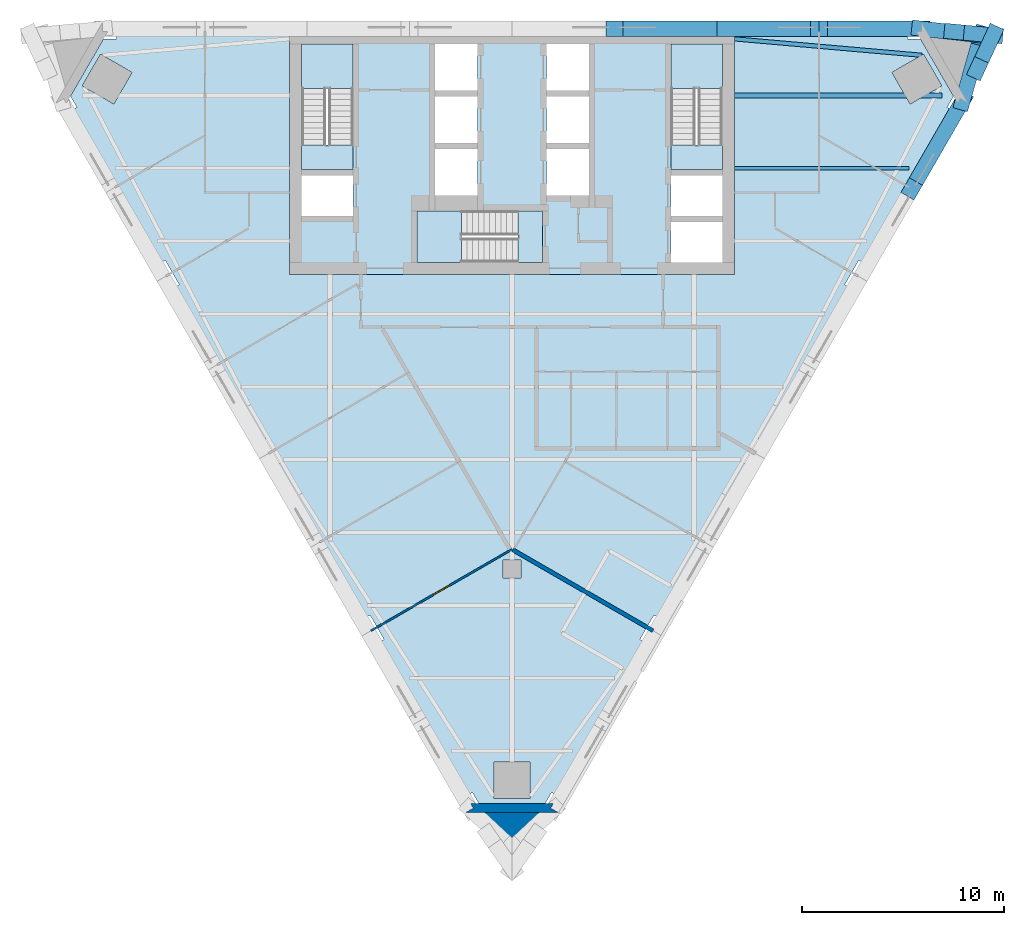
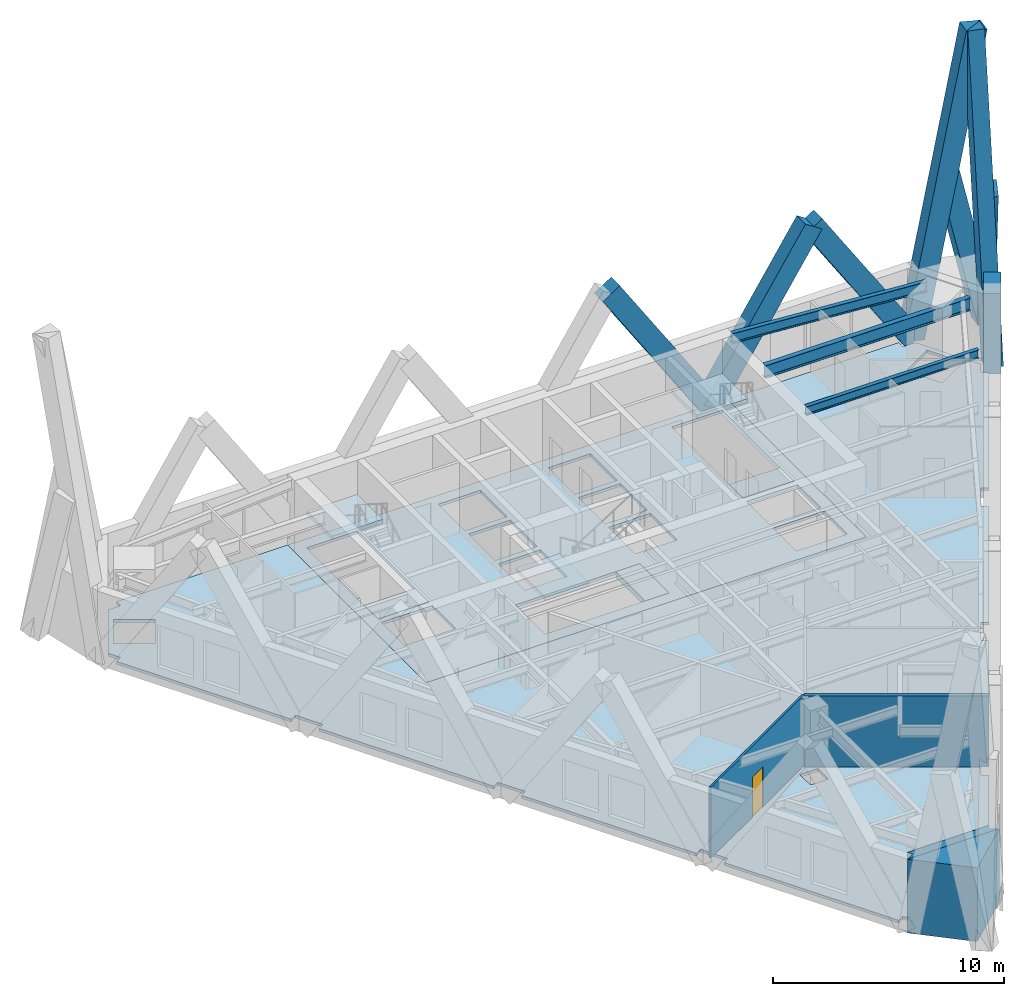
# One storey, part 2 of 8: 8 members, 8 slabs, 4 walls, 3 beams, 1 door, 1 opening, 3 elements without a shape of their own.
"""IFC4 building model written with IfcOpenShell, lengths in metres."""

from ifc_helpers import new_model, si_unit, direction, frame, frame_2d, origin, origin_2d, place, context, subcontext, project, spatial, polyline, rectangle, i_section, outline, extrude, material, layer, layer_set, material_profile, profile_set, type_object, element, fill, aggregate, save


model = new_model("IFC4")

# Units and contexts
model_context = context("Model", 3, precision=1e-05, world=origin(), true_north=direction((0.0, 1.0)))
body_context = subcontext(model_context, "Body", "Model", "MODEL_VIEW")
ifc_project = project(units=[si_unit("LENGTHUNIT", "METRE"), si_unit("AREAUNIT", "SQUARE_METRE"), si_unit("VOLUMEUNIT", "CUBIC_METRE"), si_unit("PLANEANGLEUNIT", "RADIAN"), si_unit("MASSUNIT", "GRAM", prefix="KILO")], contexts=[model_context])

# Site, building, storey
site_placement = place(None, origin())
site = spatial("IfcSite", under=ifc_project, at=site_placement, CompositionType="ELEMENT")
building_placement = place(site_placement, origin())
building = spatial("IfcBuilding", under=site, at=building_placement, Name="Aloe Facet Convention Tower", CompositionType="ELEMENT")
storey_placement = place(building_placement, frame((0.0, 0.0, 159.800048828125)))
storey = spatial("IfcBuildingStorey", under=building, at=storey_placement, Name="L40", CompositionType="ELEMENT", Elevation=159.800048828125)

# Beams
ifc_material_1 = material(Name="Steel S355", Category="steel")
ifc_material_profile_1 = material_profile(ifc_material_1, i_section(OverallWidth=0.19140625, OverallDepth=0.4599609375, WebThickness=0.010009765625, FlangeThickness=0.01611328125, FilletRadius=0.01025390625, at=origin_2d()), Name="UB 457x191x82")
ifc_profile_set_1 = profile_set([ifc_material_profile_1], Name="Steel S355")
beam_type_1 = type_object("IfcBeamType", Name="SF-B-UB457x191x82", PredefinedType="BEAM", material=ifc_profile_set_1)
beam_1_placement = place(storey_placement, frame((91.0, 127.800048828125, 3.52001953125), z_axis=(1.0, 0.0, 0.0), x_axis=(0.0, 1.0, 0.0)))
element("IfcBeam", 1, at=beam_1_placement, inside=storey, type_object=beam_type_1, Name="Floor beam FB-Z3H-042", PredefinedType="BEAM", context=body_context, shape_type="SweptSolid", body=[
    extrude(i_section(OverallWidth=0.19140625, OverallDepth=0.4599609375, WebThickness=0.010009765625, FlangeThickness=0.01611328125, FilletRadius=0.01025390625, at=origin_2d()), origin(), (0.0, 0.0, 1.0), 8.626220703125),
])
ifc_material_2 = material(Name="Steel S355", Category="steel")
ifc_material_profile_2 = material_profile(ifc_material_2, i_section(OverallWidth=0.209228515625, OverallDepth=0.533203125, WebThickness=0.010009765625, FlangeThickness=0.015625, FilletRadius=0.0126953125, at=origin_2d()), Name="UB 533x210x92")
ifc_profile_set_2 = profile_set([ifc_material_profile_2], Name="Steel S355")
beam_type_2 = type_object("IfcBeamType", Name="SF-B-UB533x210x92", PredefinedType="BEAM", material=ifc_profile_set_2)
beam_2_placement = place(storey_placement, frame((91.0, 134.1953125, 3.4833984375), z_axis=(0.996184118201, -0.087276587035, 0.0), x_axis=(0.087276587035, 0.996184118201, 0.0)))
element("IfcBeam", 2, at=beam_2_placement, inside=storey, type_object=beam_type_2, Name="Floor beam FB-Z3H-010", PredefinedType="BEAM", context=body_context, shape_type="SweptSolid", body=[
    extrude(i_section(OverallWidth=0.209228515625, OverallDepth=0.533203125, WebThickness=0.010009765625, FlangeThickness=0.015625, FilletRadius=0.0126953125, at=origin_2d()), origin(), (0.0, 0.0, 1.0), 9.281494140625),
])
ifc_material_3 = material(Name="Steel S355", Category="steel")
ifc_material_profile_3 = material_profile(ifc_material_3, i_section(OverallWidth=0.2529296875, OverallDepth=0.677978515625, WebThickness=0.01171875, FlangeThickness=0.01611328125, FilletRadius=0.01513671875, at=origin_2d()), Name="UB 686x254x125")
ifc_profile_set_3 = profile_set([ifc_material_profile_3], Name="Steel S355")
beam_type_3 = type_object("IfcBeamType", Name="SF-B-UB686x254x125", PredefinedType="BEAM", material=ifc_profile_set_3)
beam_3_placement = place(storey_placement, frame((91.0, 131.39990234375, 3.410888671875), z_axis=(1.0, 0.0, 0.0), x_axis=(0.0, 1.0, 0.0)))
element("IfcBeam", 3, at=beam_3_placement, inside=storey, type_object=beam_type_3, Name="Floor beam FB-Z3H-018", PredefinedType="BEAM", context=body_context, shape_type="SweptSolid", body=[
    extrude(i_section(OverallWidth=0.2529296875, OverallDepth=0.677978515625, WebThickness=0.01171875, FlangeThickness=0.01611328125, FilletRadius=0.01513671875, at=origin_2d()), origin(), (0.0, 0.0, 1.0), 10.26171875),
])

# Members
ifc_material_4 = material(Name="Concrete C60/75, bronze oxide finish", Category="concrete")
ifc_material_profile_4 = material_profile(ifc_material_4, rectangle(XDim=0.75, YDim=1.0, at=origin_2d()), Name="STW-LM")
ifc_profile_set_4 = profile_set([ifc_material_profile_4], Name="Concrete C60/75, bronze oxide finish")
member_type = type_object("IfcMemberType", Name="STW-LM", PredefinedType="BRACE", material=ifc_profile_set_4)
for number, where, z_axis, x_axis, name in (
    (4, (100.2431640625, 134.699951171875, 0.0), (-0.544289502455, 0.0, 0.838897453517), (0.0, -1.0, 0.0), "Lattice member LM-Z3-F1-R4-01"),
    (5, (90.12158203125, 134.699951171875, 0.0), (0.544289502455, 0.0, 0.838897453517), (0.0, 1.0, 0.0), "Lattice member LM-Z3-F1-R4-02"),
    (6, (90.12158203125, 134.699951171875, 0.0), (-0.544289502455, 0.0, 0.838897453517), (0.0, -1.0, 0.0), "Lattice member LM-Z3-F1-R4-03"),
):
    element("IfcMember", number, at=place(storey_placement, frame(where, z_axis=z_axis, x_axis=x_axis)), inside=storey, type_object=member_type, Name=name, PredefinedType="BRACE", context=body_context, shape_type="SweptSolid", body=[
        extrude(rectangle(XDim=0.75, YDim=1.0, at=origin_2d()), origin(), (0.0, 0.0, 1.0), 9.298095703125),
    ])
member_1_placement = place(storey_placement, frame((102.283203125, 131.166259765625, 0.0), z_axis=(-0.272132057907, -0.471373475835, 0.838898795647), x_axis=(0.866037770685, -0.499978579288, 0.0)))
element("IfcMember", 7, at=member_1_placement, inside=storey, type_object=member_type, Name="Lattice member LM-Z3-F3-R4-08", PredefinedType="BRACE", context=body_context, shape_type="SweptSolid", body=[
    extrude(rectangle(XDim=0.75, YDim=1.0, at=origin_2d()), origin(), (0.0, 0.0, 1.0), 9.2978515625),
])
member_2_placement = place(storey_placement, frame((102.283203125, 131.166259765625, 0.0), z_axis=(0.056407450949, 0.20038804352, 0.97809142287), x_axis=(-0.962590427977, 0.270960639149, 0.0)))
element("IfcMember", 8, at=member_2_placement, inside=storey, type_object=member_type, Name="Lattice member LM-Z3-F6-R4-01", PredefinedType="BRACE", context=body_context, shape_type="SweptSolid", body=[
    extrude(rectangle(XDim=0.75, YDim=1.0, at=origin_2d()), origin(), (0.0, 0.0, 1.0), 15.94921875),
])
member_3_placement = place(storey_placement, frame((103.768798828125, 134.3701171875, 0.0), z_axis=(-0.092887571698, -0.200309177081, 0.97531950283), x_axis=(0.9072045484, -0.42068979945, 0.0)))
element("IfcMember", 9, at=member_3_placement, inside=storey, type_object=member_type, Name="Lattice member LM-Z3-F6-R4-02", PredefinedType="BRACE", context=body_context, shape_type="SweptSolid", body=[
    extrude(rectangle(XDim=0.75, YDim=1.0, at=origin_2d()), origin(), (0.0, 0.0, 1.0), 8.247802734375),
])
member_4_placement = place(storey_placement, frame((100.2431640625, 134.699951171875, 0.0), z_axis=(0.185142656719, -0.021265035648, 0.982481549405), x_axis=(0.114107368956, 0.993468423429, 0.0)))
element("IfcMember", 10, at=member_4_placement, inside=storey, type_object=member_type, Name="Lattice member LM-Z3-F6-R4-03", PredefinedType="BRACE", context=body_context, shape_type="SweptSolid", body=[
    extrude(rectangle(XDim=0.75, YDim=1.0, at=origin_2d()), origin(), (0.0, 0.0, 1.0), 15.8779296875),
])
member_5_placement = place(storey_placement, frame((103.768798828125, 134.3701171875, 0.0), z_axis=(-0.22039805421, 0.020619418825, 0.975192051479), x_axis=(-0.093148599486, -0.995652217601, 0.0)))
element("IfcMember", 11, at=member_5_placement, inside=storey, type_object=member_type, Name="Lattice member LM-Z3-F6-R4-04", PredefinedType="BRACE", context=body_context, shape_type="SweptSolid", body=[
    extrude(rectangle(XDim=0.75, YDim=1.0, at=origin_2d()), origin(), (0.0, 0.0, 1.0), 8.714599609375),
])

# Slabs
ifc_material_5 = material(Name="Concrete C60/75", Category="concrete")
ifc_layer_1 = layer(ifc_material_5, 0.14990234375)
ifc_layer_set_1 = layer_set([ifc_layer_1], Name="CR-S-FLOOR150-C6075")
slab_type_1 = type_object("IfcSlabType", Name="CR-S-FLOOR150-C6075", PredefinedType="FLOOR", material=ifc_layer_set_1)
slab_1_placement = place(storey_placement, frame((0.0, 0.0, -0.150146484375)))
element("IfcSlab", 12, at=slab_1_placement, inside=storey, type_object=slab_type_1, Name="Core floor L40", PredefinedType="FLOOR", context=body_context, shape_type="SweptSolid", body=[
    extrude(outline(polyline([(71.85009765625, 134.550048828125), (72.75, 134.550048828125), (75.60009765625, 134.550048828125), (76.5, 134.550048828125), (78.0, 134.550048828125), (78.89990234375, 134.550048828125), (81.10009765625, 134.550048828125), (82.0, 134.550048828125), (83.5, 134.550048828125), (84.39990234375, 134.550048828125), (87.25, 134.550048828125), (88.14990234375, 134.550048828125), (91.0, 134.550048828125), (91.0, 128.050048828125), (91.0, 127.14990234375), (91.0, 125.75), (91.0, 124.85009765625), (91.0, 122.550048828125), (88.14990234375, 122.550048828125), (87.25, 122.550048828125), (85.300048828125, 122.550048828125), (84.39990234375, 122.550048828125), (82.10009765625, 122.550048828125), (81.199951171875, 122.550048828125), (75.60009765625, 122.550048828125), (74.699951171875, 122.550048828125), (72.75, 122.550048828125), (71.85009765625, 122.550048828125), (69.0, 122.550048828125), (69.0, 124.85009765625), (69.0, 125.75), (69.0, 127.14990234375), (69.0, 128.050048828125), (69.0, 134.550048828125), (71.85009765625, 134.550048828125)]), holes=[polyline([(80.298828125, 123.14990234375), (81.5, 123.14990234375), (81.5, 125.699951171875), (80.298828125, 125.699951171875), (75.300048828125, 125.699951171875), (75.300048828125, 123.14990234375), (80.298828125, 123.14990234375)]), polyline([(69.60009765625, 125.449951171875), (72.14990234375, 125.449951171875), (72.14990234375, 127.449951171875), (69.60009765625, 127.449951171875), (69.60009765625, 125.449951171875)]), polyline([(76.199951171875, 126.449951171875), (78.300048828125, 126.449951171875), (78.300048828125, 128.75), (76.199951171875, 128.75), (76.199951171875, 126.449951171875)]), polyline([(78.300048828125, 129.050048828125), (78.300048828125, 131.35009765625), (76.199951171875, 131.35009765625), (76.199951171875, 129.050048828125), (78.300048828125, 129.050048828125)]), polyline([(69.60009765625, 133.949951171875), (69.60009765625, 128.951171875), (69.60009765625, 127.75), (72.14990234375, 127.75), (72.14990234375, 128.951171875), (72.14990234375, 133.949951171875), (69.60009765625, 133.949951171875)]), polyline([(76.199951171875, 131.64990234375), (78.300048828125, 131.64990234375), (78.300048828125, 133.949951171875), (76.199951171875, 133.949951171875), (76.199951171875, 131.64990234375)]), polyline([(90.39990234375, 123.14990234375), (90.39990234375, 125.14990234375), (87.85009765625, 125.14990234375), (87.85009765625, 123.14990234375), (90.39990234375, 123.14990234375)]), polyline([(87.85009765625, 125.449951171875), (90.39990234375, 125.449951171875), (90.39990234375, 127.449951171875), (87.85009765625, 127.449951171875), (87.85009765625, 125.449951171875)]), polyline([(81.699951171875, 126.449951171875), (83.800048828125, 126.449951171875), (83.800048828125, 128.75), (81.699951171875, 128.75), (81.699951171875, 126.449951171875)]), polyline([(83.800048828125, 129.050048828125), (83.800048828125, 131.35009765625), (81.699951171875, 131.35009765625), (81.699951171875, 129.050048828125), (83.800048828125, 129.050048828125)]), polyline([(87.85009765625, 133.949951171875), (87.85009765625, 128.951171875), (87.85009765625, 127.75), (90.39990234375, 127.75), (90.39990234375, 128.951171875), (90.39990234375, 133.949951171875), (87.85009765625, 133.949951171875)]), polyline([(81.699951171875, 131.64990234375), (83.800048828125, 131.64990234375), (83.800048828125, 133.949951171875), (81.699951171875, 133.949951171875), (81.699951171875, 131.64990234375)])]), origin(), (0.0, 0.0, 1.0), 0.150146484375),
])
ifc_material_6 = material(Name="Concrete C60/75", Category="concrete")
ifc_layer_2 = layer(ifc_material_6, 0.300048828125)
ifc_layer_set_2 = layer_set([ifc_layer_2], Name="CR-S-FLOOR300-C6075")
slab_type_2 = type_object("IfcSlabType", Name="CR-S-FLOOR300-C6075", PredefinedType="FLOOR", material=ifc_layer_set_2)
slab_2_placement = place(storey_placement, frame((0.0, 0.0, -0.300048828125)))
element("IfcSlab", 13, at=slab_2_placement, inside=storey, type_object=slab_type_2, Name="Stair landing floor L40", PredefinedType="FLOOR", context=body_context, shape_type="SweptSolid", body=[
    extrude(outline(polyline([(72.14990234375, 127.75), (72.14990234375, 128.951171875), (69.60009765625, 128.951171875), (69.60009765625, 127.75), (72.14990234375, 127.75)])), origin(), (0.0, 0.0, 1.0), 0.300048828125),
])
slab_3_placement = place(storey_placement, frame((0.0, 0.0, -0.300048828125)))
element("IfcSlab", 14, at=slab_3_placement, inside=storey, type_object=slab_type_2, Name="Stair landing floor L40", PredefinedType="FLOOR", context=body_context, shape_type="SweptSolid", body=[
    extrude(outline(polyline([(90.39990234375, 127.75), (90.39990234375, 128.951171875), (87.85009765625, 128.951171875), (87.85009765625, 127.75), (90.39990234375, 127.75)])), origin(), (0.0, 0.0, 1.0), 0.300048828125),
])
slab_4_placement = place(storey_placement, frame((0.0, 0.0, -0.300048828125)))
element("IfcSlab", 15, at=slab_4_placement, inside=storey, type_object=slab_type_2, Name="Stair landing floor L40", PredefinedType="FLOOR", context=body_context, shape_type="SweptSolid", body=[
    extrude(outline(polyline([(81.5, 125.699951171875), (80.298828125, 125.699951171875), (80.298828125, 123.14990234375), (81.5, 123.14990234375), (81.5, 125.699951171875)])), origin(), (0.0, 0.0, 1.0), 0.300048828125),
])

# Stair, slab
ifc_material_7 = material(Name="Concrete C50/60", Category="concrete")
stair_type = type_object("IfcStairType", Name="CR-ST-22R", PredefinedType="HALF_TURN_STAIR", material=ifc_material_7)
stair_1_placement = place(storey_placement, origin())
stair_1 = element("IfcStair", 16, at=stair_1_placement, inside=storey, type_object=stair_type, Name="L40 Protected exit stair ST1", PredefinedType="HALF_TURN_STAIR")
ifc_material_8 = material(Name="Concrete C50/60", Category="concrete")
ifc_layer_3 = layer(ifc_material_8, 0.199951171875)
ifc_layer_set_3 = layer_set([ifc_layer_3], Name="CR-SL-LANDING")
slab_type_3 = type_object("IfcSlabType", Name="CR-SL-LANDING", PredefinedType="LANDING", material=ifc_layer_set_3)
slab_5_placement = place(storey_placement, frame((0.0, 0.0, 1.75)))
slab_5 = element("IfcSlab", 17, at=slab_5_placement, type_object=slab_type_3, Name="ST1 landing 1", PredefinedType="LANDING", context=body_context, shape_type="SweptSolid", body=[
    extrude(outline(polyline([(72.14990234375, 131.75), (72.14990234375, 133.949951171875), (69.60009765625, 133.949951171875), (69.60009765625, 131.75), (72.14990234375, 131.75)])), origin(), (0.0, 0.0, 1.0), 0.199951171875),
])
aggregate(stair_1, [slab_5])

stair_2_placement = place(storey_placement, origin())
stair_2 = element("IfcStair", 18, at=stair_2_placement, inside=storey, type_object=stair_type, Name="L40 Protected exit stair ST2", PredefinedType="HALF_TURN_STAIR")
slab_6_placement = place(storey_placement, frame((0.0, 0.0, 1.75)))
slab_6 = element("IfcSlab", 19, at=slab_6_placement, type_object=slab_type_3, Name="ST2 landing 1", PredefinedType="LANDING", context=body_context, shape_type="SweptSolid", body=[
    extrude(outline(polyline([(90.39990234375, 131.75), (90.39990234375, 133.949951171875), (87.85009765625, 133.949951171875), (87.85009765625, 131.75), (90.39990234375, 131.75)])), origin(), (0.0, 0.0, 1.0), 0.199951171875),
])
aggregate(stair_2, [slab_6])

stair_3_placement = place(storey_placement, origin())
stair_3 = element("IfcStair", 20, at=stair_3_placement, inside=storey, type_object=stair_type, Name="L40 Protected exit stair ST3", PredefinedType="HALF_TURN_STAIR")
slab_7_placement = place(storey_placement, frame((0.0, 0.0, 1.75)))
slab_7 = element("IfcSlab", 21, at=slab_7_placement, type_object=slab_type_3, Name="ST3 landing 1", PredefinedType="LANDING", context=body_context, shape_type="SweptSolid", body=[
    extrude(outline(polyline([(77.5, 125.699951171875), (75.300048828125, 125.699951171875), (75.300048828125, 123.14990234375), (77.5, 123.14990234375), (77.5, 125.699951171875)])), origin(), (0.0, 0.0, 1.0), 0.199951171875),
])
aggregate(stair_3, [slab_7])

# Slab
ifc_material_9 = material(Name="Concrete C35/45", Category="concrete")
ifc_layer_4 = layer(ifc_material_9, 0.14990234375)
ifc_layer_set_4 = layer_set([ifc_layer_4], Name="SF-FS-150")
slab_type_4 = type_object("IfcSlabType", Name="SF-FS-150", PredefinedType="FLOOR", material=ifc_layer_set_4)
slab_8_placement = place(storey_placement, frame((0.0, 0.0, -0.150146484375)))
element("IfcSlab", 22, at=slab_8_placement, inside=storey, type_object=slab_type_4, Name="Floor slab L40-1", PredefinedType="FLOOR", context=body_context, shape_type="SweptSolid", body=[
    extrude(outline(polyline([(101.8212890625, 131.3662109375), (101.55224609375, 130.900146484375), (101.503662109375, 130.81591796875), (101.806640625, 130.640869140625), (97.439208984375, 123.076171875), (97.13623046875, 123.251220703125), (96.767333984375, 122.6123046875), (96.554443359375, 122.243896484375), (96.491455078125, 122.134521484375), (96.44287109375, 122.05029296875), (96.745849609375, 121.875244140625), (92.37841796875, 114.310791015625), (92.075439453125, 114.485595703125), (91.613037109375, 113.68505859375), (91.382080078125, 113.284912109375), (91.685302734375, 113.10986328125), (87.317626953125, 105.545166015625), (87.0146484375, 105.72021484375), (86.66796875, 105.119873046875), (86.552490234375, 104.91943359375), (86.369873046875, 104.603515625), (86.3212890625, 104.519287109375), (86.62451171875, 104.34423828125), (82.257080078125, 96.77978515625), (81.953857421875, 96.95458984375), (81.9052734375, 96.870361328125), (81.635986328125, 96.404296875), (78.364013671875, 96.404296875), (78.046142578125, 96.95458984375), (77.742919921875, 96.77978515625), (73.37548828125, 104.34423828125), (73.6787109375, 104.519287109375), (73.630126953125, 104.603515625), (73.56689453125, 104.712890625), (73.447509765625, 104.91943359375), (73.335693359375, 105.11328125), (73.33203125, 105.119873046875), (73.221923828125, 105.310302734375), (73.216552734375, 105.320068359375), (73.033935546875, 105.635986328125), (72.9853515625, 105.72021484375), (72.682373046875, 105.545166015625), (68.314697265625, 113.10986328125), (68.617919921875, 113.284912109375), (68.5693359375, 113.369140625), (68.50634765625, 113.478271484375), (68.290771484375, 113.851806640625), (68.271240234375, 113.88525390625), (68.205810546875, 113.998779296875), (67.973388671875, 114.4013671875), (67.924560546875, 114.485595703125), (67.62158203125, 114.310791015625), (63.254150390625, 121.875244140625), (63.55712890625, 122.05029296875), (63.2197265625, 122.634521484375), (63.206298828125, 122.657958984375), (63.094970703125, 122.85107421875), (62.91259765625, 123.1669921875), (62.86376953125, 123.251220703125), (62.560791015625, 123.076171875), (58.193359375, 130.640869140625), (58.496337890625, 130.81591796875), (58.44775390625, 130.900146484375), (58.1787109375, 131.3662109375), (59.814697265625, 134.199951171875), (60.352783203125, 134.199951171875), (60.4501953125, 134.199951171875), (60.4501953125, 134.550048828125), (69.0, 134.550048828125), (69.0, 128.050048828125), (69.0, 127.14990234375), (69.0, 125.75), (69.0, 124.85009765625), (69.0, 122.550048828125), (71.85009765625, 122.550048828125), (72.75, 122.550048828125), (74.699951171875, 122.550048828125), (75.60009765625, 122.550048828125), (81.199951171875, 122.550048828125), (82.10009765625, 122.550048828125), (84.39990234375, 122.550048828125), (85.300048828125, 122.550048828125), (87.25, 122.550048828125), (88.14990234375, 122.550048828125), (91.0, 122.550048828125), (91.0, 124.85009765625), (91.0, 125.75), (91.0, 127.14990234375), (91.0, 128.050048828125), (91.0, 134.550048828125), (99.5498046875, 134.550048828125), (99.5498046875, 134.199951171875), (99.647216796875, 134.199951171875), (100.185302734375, 134.199951171875), (101.8212890625, 131.3662109375)]), holes=[polyline([(61.221923828125, 132.53759765625), (59.6630859375, 133.4375), (58.76318359375, 131.878662109375), (60.322021484375, 130.978759765625), (61.221923828125, 132.53759765625)]), polyline([(79.10009765625, 98.4541015625), (79.10009765625, 96.654296875), (80.89990234375, 96.654296875), (80.89990234375, 98.4541015625), (79.10009765625, 98.4541015625)]), polyline([(79.550048828125, 107.550048828125), (80.449951171875, 107.550048828125), (80.449951171875, 108.449951171875), (79.550048828125, 108.449951171875), (79.550048828125, 107.550048828125)]), polyline([(101.23681640625, 131.878662109375), (100.3369140625, 133.4375), (98.778076171875, 132.53759765625), (99.677978515625, 130.978759765625), (101.23681640625, 131.878662109375)])]), origin(), (0.0, 0.0, 1.0), 0.150146484375),
])

# Walls
ifc_material_10 = material(Name="Precast concrete C40/50", Category="concrete")
ifc_layer_5 = layer(ifc_material_10, 0.449951171875)
ifc_layer_set_5 = layer_set([ifc_layer_5], Name="EV-WALL-PIER")
wall_type_1 = type_object("IfcWallType", Name="EV-WALL-PIER", PredefinedType="SOLIDWALL", material=ifc_layer_set_5)
wall_1_placement = place(storey_placement, frame((0.0, 0.0, -0.150146484375)))
element("IfcWall", 23, at=wall_1_placement, inside=storey, type_object=wall_type_1, Name="EP-L40-B", PredefinedType="SOLIDWALL", context=body_context, shape_type="SweptSolid", body=[
    extrude(outline(polyline([(77.699951171875, 95.954345703125), (78.089599609375, 96.17919921875), (77.959716796875, 96.404296875), (82.040283203125, 96.404296875), (81.910400390625, 96.17919921875), (82.300048828125, 95.954345703125), (77.699951171875, 95.954345703125)])), origin(), (0.0, 0.0, 1.0), 3.900146484375),
])
ifc_material_11 = material(Name="Precast concrete C40/50", Category="concrete")
ifc_layer_6 = layer(ifc_material_11, 3.947998046875)
ifc_layer_set_6 = layer_set([ifc_layer_6], Name="EV-WALL-SPINE")
wall_type_2 = type_object("IfcWallType", Name="EV-WALL-SPINE", PredefinedType="SOLIDWALL", material=ifc_layer_set_6)
wall_2_placement = place(storey_placement, frame((0.0, 0.0, -0.150146484375)))
element("IfcWall", 24, at=wall_2_placement, inside=storey, type_object=wall_type_2, Name="SP-S-L40", PredefinedType="SOLIDWALL", context=body_context, shape_type="SweptSolid", body=[
    extrude(outline(polyline([(77.699951171875, 95.954345703125), (80.0, 93.868408203125), (82.300048828125, 95.954345703125), (77.699951171875, 95.954345703125)])), origin(), (0.0, 0.0, 1.0), 3.900146484375),
])

# Wall, opening, door
ifc_material_12 = material(Name="Gypsum board partition on steel studs", Category="steel")
ifc_layer_7 = layer(ifc_material_12, 0.10009765625)
ifc_layer_set_7 = layer_set([ifc_layer_7], Name="IN-W-PART")
wall_type_3 = type_object("IfcWallType", Name="IN-W-PART", PredefinedType="PARTITIONING", material=ifc_layer_set_7)
wall_3_placement = place(storey_placement, frame((73.029052734375, 104.94482421875, 0.0), z_axis=(0.0, 0.0, 1.0), x_axis=(0.866018113567, 0.500012626815, 0.0)))
wall_3 = element("IfcWall", 25, at=wall_3_placement, inside=storey, type_object=wall_type_3, Name="Partition L40-W001", PredefinedType="PARTITIONING", context=body_context, shape_type="SweptSolid", body=[
    extrude(rectangle(XDim=8.059814453125, YDim=0.10009765625, at=frame_2d((4.02978515625, 0.0))), origin(), (0.0, 0.0, 1.0), 3.75),
])
opening_placement = place(wall_3_placement, frame((3.580078125, 0.0, 0.0)))
opening = element("IfcOpeningElement", 26, at=opening_placement, cuts=wall_3, Name="Opening L40-020", PredefinedType="OPENING", context=body_context, shape_type="SweptSolid", body=[
    extrude(rectangle(XDim=0.89990234375, YDim=2.10009765625, at=frame_2d((0.449951171875, 1.050048828125))), frame((0.0, 0.06005859375, 0.0), z_axis=(0.0, -1.0, 0.0), x_axis=(1.0, 0.0, 0.0)), (0.0, 0.0, 1.0), 0.1201171875),
])
ifc_material_13 = material(Name="Timber door", Category="wood")
door_type = type_object("IfcDoorType", Name="IN-OFF-D-ROOM", OperationType="SINGLE_SWING_LEFT", PredefinedType="DOOR", material=ifc_material_13)
door_placement = place(opening_placement, origin())
door = element("IfcDoor", 27, at=door_placement, inside=storey, type_object=door_type, Name="Door L40-020", OperationType="SINGLE_SWING_LEFT", OverallHeight=2.10009765625, OverallWidth=0.89990234375, PredefinedType="DOOR", context=body_context, shape_type="SweptSolid", body=[
    extrude(rectangle(XDim=0.89990234375, YDim=2.10009765625, at=frame_2d((0.449951171875, 1.050048828125))), frame((0.0, 0.02490234375, 0.0), z_axis=(0.0, -1.0, 0.0), x_axis=(1.0, 0.0, 0.0)), (0.0, 0.0, 1.0), 0.050048828125),
])
fill(opening, door)

# Wall
ifc_material_14 = material(Name="Gypsum board partition on steel studs", Category="steel")
ifc_layer_8 = layer(ifc_material_14, 0.199951171875)
ifc_layer_set_8 = layer_set([ifc_layer_8], Name="IN-W-PARTY")
wall_type_4 = type_object("IfcWallType", Name="IN-W-PARTY", PredefinedType="PARTITIONING", material=ifc_layer_set_8)
wall_4_placement = place(storey_placement, frame((80.0341796875, 108.94970703125, 0.0), z_axis=(0.0, 0.0, 1.0), x_axis=(0.866028745538, -0.499994211868, 0.0)))
element("IfcWall", 28, at=wall_4_placement, inside=storey, type_object=wall_type_4, Name="Partition L40-W004", PredefinedType="PARTITIONING", context=body_context, shape_type="SweptSolid", body=[
    extrude(rectangle(XDim=8.009765625, YDim=0.199951171875, at=frame_2d((4.0048828125, 0.0))), origin(), (0.0, 0.0, 1.0), 3.75),
])

save(model, "model.ifc")
